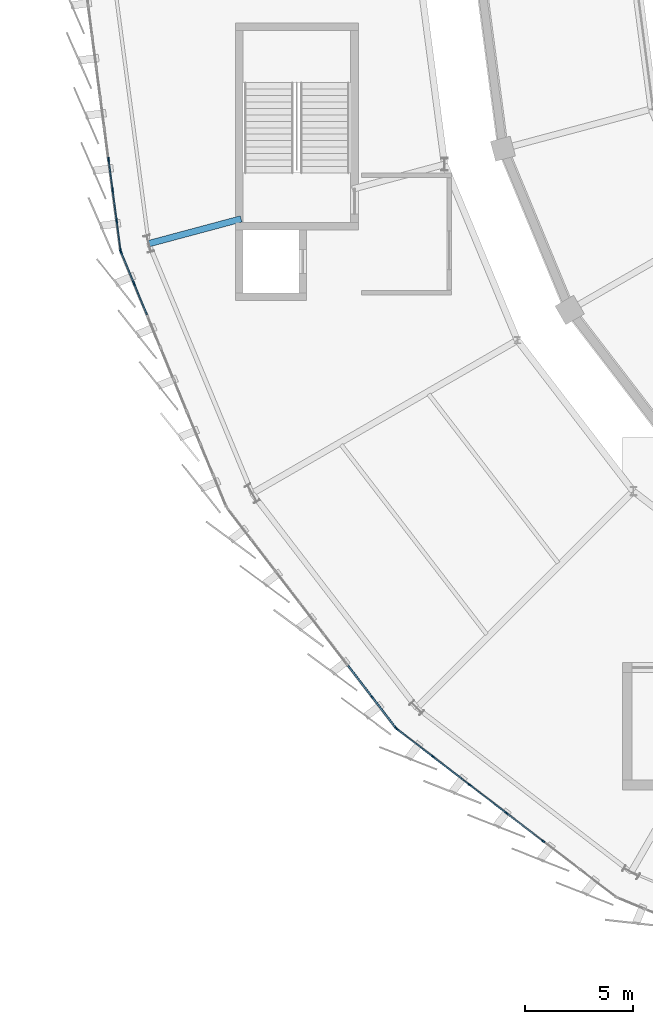
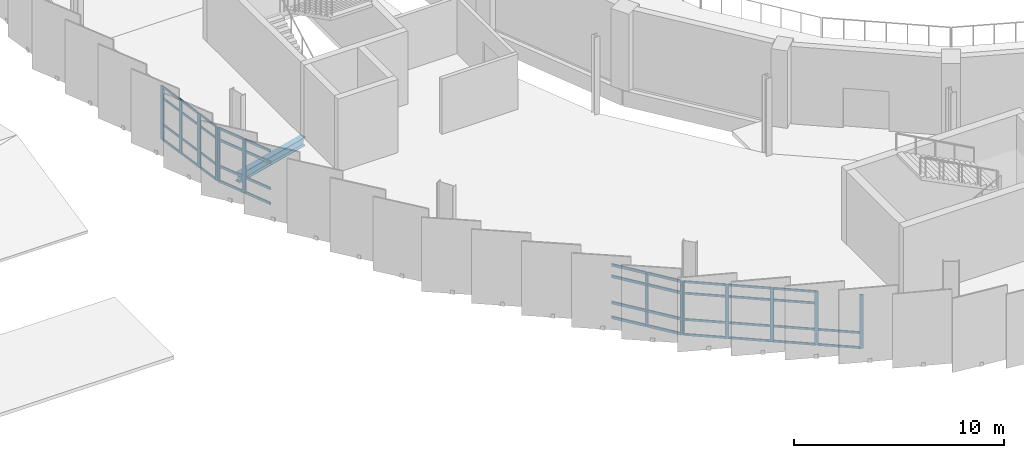
# One storey, part 18 of 87: 55 members, 1 beam, 4 elements without a shape of their own.
"""IFC4 building model written with IfcOpenShell, lengths in metres."""

from ifc_helpers import new_model, si_unit, direction, frame, origin, origin_2d, place, context, subcontext, project, spatial, rectangle, i_section, extrude, material, layer, layer_set, material_profile, profile_set, type_object, element, aggregate, save


model = new_model("IFC4")

# Units and contexts
model_context = context("Model", 3, precision=1e-05, world=origin(), true_north=direction((0.0, 1.0)))
body_context = subcontext(model_context, "Body", "Model", "MODEL_VIEW")
ifc_project = project(units=[si_unit("LENGTHUNIT", "METRE"), si_unit("AREAUNIT", "SQUARE_METRE"), si_unit("VOLUMEUNIT", "CUBIC_METRE"), si_unit("PLANEANGLEUNIT", "RADIAN"), si_unit("MASSUNIT", "GRAM", prefix="KILO")], contexts=[model_context])

# Site, building, storey
site_placement = place(None, origin())
site = spatial("IfcSite", under=ifc_project, at=site_placement, CompositionType="ELEMENT")
building_placement = place(site_placement, origin())
building = spatial("IfcBuilding", under=site, at=building_placement, Name="Sohan Crest Arena", CompositionType="ELEMENT")
storey_placement = place(building_placement, frame((0.0, 0.0, 18.0)))
storey = spatial("IfcBuildingStorey", under=building, at=storey_placement, Name="L04", CompositionType="ELEMENT", Elevation=18.0)

# Curtain wall, members
ifc_material_1 = material(Name="Thermally broken anodised aluminium", Category="aluminium")
ifc_layer_1 = layer(ifc_material_1, 0.219970703125, Name="Thermally broken anodised aluminium")
ifc_layer_set_1 = layer_set([ifc_layer_1], Name="Thermally broken anodised aluminium")
curtain_wall_type_1 = type_object("IfcCurtainWallType", Name="ARC-CW03", PredefinedType="NOTDEFINED", material=ifc_layer_set_1)
curtain_wall_1_placement = place(storey_placement, origin())
curtain_wall_1 = element("IfcCurtainWall", 1, at=curtain_wall_1_placement, inside=storey, type_object=curtain_wall_type_1, Name="Unitised curtain wall CW-120", PredefinedType="NOTDEFINED")
ifc_material_profile_1 = material_profile(ifc_material_1, rectangle(XDim=0.06005859375, YDim=0.159912109375, at=origin_2d()), Name="ALU-MULL 60x160")
ifc_profile_set_1 = profile_set([ifc_material_profile_1], Name="Thermally broken anodised aluminium")
member_type_1 = type_object("IfcMemberType", Name="ARC-CW-ML01", PredefinedType="MULLION", material=ifc_profile_set_1)
member_1_placement = place(storey_placement, frame((61.983642578125, 44.564208984375, 0.0), z_axis=(0.0, 0.0, 1.0), x_axis=(0.793385172815, 0.60871994181, 0.0)))
member_1 = element("IfcMember", 2, at=member_1_placement, type_object=member_type_1, Name="CW-120 mullion 7", PredefinedType="MULLION", context=body_context, shape_type="SweptSolid", body=[
    extrude(rectangle(XDim=0.06005859375, YDim=0.159912109375, at=origin_2d()), origin(), (0.0, 0.0, 1.0), 3.1201171875),
])
member_2_placement = place(storey_placement, frame((63.085693359375, 43.127685546875, 0.0), z_axis=(0.0, 0.0, 1.0), x_axis=(0.793385172815, 0.60871994181, 0.0)))
member_2 = element("IfcMember", 3, at=member_2_placement, type_object=member_type_1, Name="CW-120 mullion 8", PredefinedType="MULLION", context=body_context, shape_type="SweptSolid", body=[
    extrude(rectangle(XDim=0.06005859375, YDim=0.159912109375, at=origin_2d()), origin(), (0.0, 0.0, 1.0), 3.1201171875),
])

ifc_layer_2 = layer(ifc_material_1, 0.239990234375, Name="Thermally broken anodised aluminium")
ifc_layer_set_2 = layer_set([ifc_layer_2], Name="Thermally broken anodised aluminium")
curtain_wall_type_2 = type_object("IfcCurtainWallType", Name="ARC-CW04", PredefinedType="NOTDEFINED", material=ifc_layer_set_2)
curtain_wall_2_placement = place(storey_placement, origin())
curtain_wall_2 = element("IfcCurtainWall", 4, at=curtain_wall_2_placement, inside=storey, type_object=curtain_wall_type_2, Name="Unitised curtain wall CW-121", PredefinedType="NOTDEFINED")
ifc_material_profile_2 = material_profile(ifc_material_1, rectangle(XDim=0.06494140625, YDim=0.179931640625, at=origin_2d()), Name="ALU-MULL 65x180")
ifc_profile_set_2 = profile_set([ifc_material_profile_2], Name="Thermally broken anodised aluminium")
member_type_2 = type_object("IfcMemberType", Name="ARC-CW-ML02", PredefinedType="MULLION", material=ifc_profile_set_2)
member_3_placement = place(storey_placement, frame((63.1298828125, 43.084228515625, 0.0), z_axis=(0.0, 0.0, 1.0), x_axis=(0.60871994181, 0.793385172815, 0.0)))
member_3 = element("IfcMember", 5, at=member_3_placement, type_object=member_type_2, Name="CW-121 mullion 1", PredefinedType="MULLION", context=body_context, shape_type="SweptSolid", body=[
    extrude(rectangle(XDim=0.06494140625, YDim=0.179931640625, at=origin_2d()), origin(), (0.0, 0.0, 1.0), 3.1201171875),
])
member_4_placement = place(storey_placement, frame((64.8076171875, 41.797119140625, 0.0), z_axis=(0.0, 0.0, 1.0), x_axis=(0.60871994181, 0.793385172815, 0.0)))
member_4 = element("IfcMember", 6, at=member_4_placement, type_object=member_type_2, Name="CW-121 mullion 2", PredefinedType="MULLION", context=body_context, shape_type="SweptSolid", body=[
    extrude(rectangle(XDim=0.06494140625, YDim=0.179931640625, at=origin_2d()), origin(), (0.0, 0.0, 1.0), 3.1201171875),
])
member_5_placement = place(storey_placement, frame((66.510986328125, 40.489990234375, 0.0), z_axis=(0.0, 0.0, 1.0), x_axis=(0.60871994181, 0.793385172815, 0.0)))
member_5 = element("IfcMember", 7, at=member_5_placement, type_object=member_type_2, Name="CW-121 mullion 3", PredefinedType="MULLION", context=body_context, shape_type="SweptSolid", body=[
    extrude(rectangle(XDim=0.06494140625, YDim=0.179931640625, at=origin_2d()), origin(), (0.0, 0.0, 1.0), 3.1201171875),
])
member_6_placement = place(storey_placement, frame((68.214599609375, 39.18310546875, 0.0), z_axis=(0.0, 0.0, 1.0), x_axis=(0.60871994181, 0.793385172815, 0.0)))
member_6 = element("IfcMember", 8, at=member_6_placement, type_object=member_type_2, Name="CW-121 mullion 4", PredefinedType="MULLION", context=body_context, shape_type="SweptSolid", body=[
    extrude(rectangle(XDim=0.06494140625, YDim=0.179931640625, at=origin_2d()), origin(), (0.0, 0.0, 1.0), 3.1201171875),
])
member_7_placement = place(storey_placement, frame((69.91796875, 37.8759765625, 0.0), z_axis=(0.0, 0.0, 1.0), x_axis=(0.60871994181, 0.793385172815, 0.0)))
member_7 = element("IfcMember", 9, at=member_7_placement, type_object=member_type_2, Name="CW-121 mullion 5", PredefinedType="MULLION", context=body_context, shape_type="SweptSolid", body=[
    extrude(rectangle(XDim=0.06494140625, YDim=0.179931640625, at=origin_2d()), origin(), (0.0, 0.0, 1.0), 3.1201171875),
])

ifc_layer_3 = layer(ifc_material_1, 0.179931640625, Name="Thermally broken anodised aluminium")
ifc_layer_set_3 = layer_set([ifc_layer_3], Name="Thermally broken anodised aluminium")
curtain_wall_type_3 = type_object("IfcCurtainWallType", Name="ARC-CW01", PredefinedType="NOTDEFINED", material=ifc_layer_set_3)
curtain_wall_3_placement = place(storey_placement, origin())
curtain_wall_3 = element("IfcCurtainWall", 10, at=curtain_wall_3_placement, inside=storey, type_object=curtain_wall_type_3, Name="Unitised curtain wall CW-118", PredefinedType="NOTDEFINED")
ifc_material_profile_3 = material_profile(ifc_material_1, rectangle(XDim=0.070068359375, YDim=0.199951171875, at=origin_2d()), Name="ALU-MULL 70x200")
ifc_profile_set_3 = profile_set([ifc_material_profile_3], Name="Thermally broken anodised aluminium")
member_type_3 = type_object("IfcMemberType", Name="ARC-CW-ML03", PredefinedType="MULLION", material=ifc_profile_set_3)
member_8_placement = place(storey_placement, frame((49.771240234375, 69.484619140625, 0.0), z_axis=(0.0, 0.0, 1.0), x_axis=(0.991440816386, 0.130556913275, 0.0)))
member_8 = element("IfcMember", 11, at=member_8_placement, type_object=member_type_3, Name="CW-118 mullion 7", PredefinedType="MULLION", context=body_context, shape_type="SweptSolid", body=[
    extrude(rectangle(XDim=0.070068359375, YDim=0.199951171875, at=origin_2d()), origin(), (0.0, 0.0, 1.0), 3.1201171875),
])
member_9_placement = place(storey_placement, frame((49.958251953125, 68.0654296875, 0.0), z_axis=(0.0, 0.0, 1.0), x_axis=(0.991440816386, 0.130556913275, 0.0)))
member_9 = element("IfcMember", 12, at=member_9_placement, type_object=member_type_3, Name="CW-118 mullion 8", PredefinedType="MULLION", context=body_context, shape_type="SweptSolid", body=[
    extrude(rectangle(XDim=0.070068359375, YDim=0.199951171875, at=origin_2d()), origin(), (0.0, 0.0, 1.0), 3.1201171875),
])
member_10_placement = place(storey_placement, frame((50.14501953125, 66.646240234375, 0.0), z_axis=(0.0, 0.0, 1.0), x_axis=(0.991440816386, 0.130556913275, 0.0)))
member_10 = element("IfcMember", 13, at=member_10_placement, type_object=member_type_3, Name="CW-118 mullion 9", PredefinedType="MULLION", context=body_context, shape_type="SweptSolid", body=[
    extrude(rectangle(XDim=0.070068359375, YDim=0.199951171875, at=origin_2d()), origin(), (0.0, 0.0, 1.0), 3.1201171875),
])
member_11_placement = place(storey_placement, frame((50.327392578125, 65.26171875, 0.0), z_axis=(0.0, 0.0, 1.0), x_axis=(0.991440816386, 0.130556913275, 0.0)))
member_11 = element("IfcMember", 14, at=member_11_placement, type_object=member_type_3, Name="CW-118 mullion 10", PredefinedType="MULLION", context=body_context, shape_type="SweptSolid", body=[
    extrude(rectangle(XDim=0.070068359375, YDim=0.199951171875, at=origin_2d()), origin(), (0.0, 0.0, 1.0), 3.1201171875),
])

ifc_layer_4 = layer(ifc_material_1, 0.199951171875, Name="Thermally broken anodised aluminium")
ifc_layer_set_4 = layer_set([ifc_layer_4], Name="Thermally broken anodised aluminium")
curtain_wall_type_4 = type_object("IfcCurtainWallType", Name="ARC-CW02", PredefinedType="NOTDEFINED", material=ifc_layer_set_4)
curtain_wall_4_placement = place(storey_placement, origin())
curtain_wall_4 = element("IfcCurtainWall", 15, at=curtain_wall_4_placement, inside=storey, type_object=curtain_wall_type_4, Name="Unitised curtain wall CW-119", PredefinedType="NOTDEFINED")
ifc_material_profile_4 = material_profile(ifc_material_1, rectangle(XDim=0.074951171875, YDim=0.219970703125, at=origin_2d()), Name="ALU-MULL 75x220")
ifc_profile_set_4 = profile_set([ifc_material_profile_4], Name="Thermally broken anodised aluminium")
member_type_4 = type_object("IfcMemberType", Name="ARC-CW-ML04", PredefinedType="MULLION", material=ifc_profile_set_4)
member_12_placement = place(storey_placement, frame((50.346435546875, 65.1923828125, 0.0), z_axis=(0.0, 0.0, 1.0), x_axis=(0.923878704229, 0.382685432009, 0.0)))
member_12 = element("IfcMember", 16, at=member_12_placement, type_object=member_type_4, Name="CW-119 mullion 1", PredefinedType="MULLION", context=body_context, shape_type="SweptSolid", body=[
    extrude(rectangle(XDim=0.074951171875, YDim=0.219970703125, at=origin_2d()), origin(), (0.0, 0.0, 1.0), 3.1201171875),
])
member_13_placement = place(storey_placement, frame((50.9482421875, 63.7392578125, 0.0), z_axis=(0.0, 0.0, 1.0), x_axis=(0.923878704229, 0.382685432009, 0.0)))
member_13 = element("IfcMember", 17, at=member_13_placement, type_object=member_type_4, Name="CW-119 mullion 2", PredefinedType="MULLION", context=body_context, shape_type="SweptSolid", body=[
    extrude(rectangle(XDim=0.074951171875, YDim=0.219970703125, at=origin_2d()), origin(), (0.0, 0.0, 1.0), 3.1201171875),
])

# Member
ifc_material_profile_5 = material_profile(ifc_material_1, rectangle(XDim=0.06005859375, YDim=0.1201171875, at=origin_2d()), Name="ALU-TRAN 60x120")
ifc_profile_set_5 = profile_set([ifc_material_profile_5], Name="Thermally broken anodised aluminium")
member_type_5 = type_object("IfcMemberType", Name="ARC-CW-TR01", PredefinedType="USERDEFINED", material=ifc_profile_set_5)
member_14_placement = place(storey_placement, frame((49.77587890625, 69.449951171875, 0.030029296875), z_axis=(0.130542644625, -0.991442695235, 0.0), x_axis=(0.991442695235, 0.130542644625, 0.0)))
member_14 = element("IfcMember", 18, at=member_14_placement, type_object=member_type_5, Name="CW-118 transom 7.1", ObjectType="TRANSOM", PredefinedType="USERDEFINED", context=body_context, shape_type="SweptSolid", body=[
    extrude(rectangle(XDim=0.06005859375, YDim=0.1201171875, at=origin_2d()), origin(), (0.0, 0.0, 1.0), 1.361572265625),
])

member_15_placement = place(storey_placement, frame((49.77587890625, 69.449951171875, 0.89990234375), z_axis=(0.130542644625, -0.991442695235, 0.0), x_axis=(0.991442695235, 0.130542644625, 0.0)))
member_15 = element("IfcMember", 19, at=member_15_placement, type_object=member_type_5, Name="CW-118 transom 7.2", ObjectType="TRANSOM", PredefinedType="USERDEFINED", context=body_context, shape_type="SweptSolid", body=[
    extrude(rectangle(XDim=0.06005859375, YDim=0.1201171875, at=origin_2d()), origin(), (0.0, 0.0, 1.0), 1.361572265625),
])

member_16_placement = place(storey_placement, frame((49.77587890625, 69.449951171875, 2.419921875), z_axis=(0.130542644625, -0.991442695235, 0.0), x_axis=(0.991442695235, 0.130542644625, 0.0)))
member_16 = element("IfcMember", 20, at=member_16_placement, type_object=member_type_5, Name="CW-118 transom 7.3", ObjectType="TRANSOM", PredefinedType="USERDEFINED", context=body_context, shape_type="SweptSolid", body=[
    extrude(rectangle(XDim=0.06005859375, YDim=0.1201171875, at=origin_2d()), origin(), (0.0, 0.0, 1.0), 1.361572265625),
])

member_17_placement = place(storey_placement, frame((49.77587890625, 69.449951171875, 3.090087890625), z_axis=(0.130542644625, -0.991442695235, 0.0), x_axis=(0.991442695235, 0.130542644625, 0.0)))
member_17 = element("IfcMember", 21, at=member_17_placement, type_object=member_type_5, Name="CW-118 transom 7.4", ObjectType="TRANSOM", PredefinedType="USERDEFINED", context=body_context, shape_type="SweptSolid", body=[
    extrude(rectangle(XDim=0.06005859375, YDim=0.1201171875, at=origin_2d()), origin(), (0.0, 0.0, 1.0), 1.361572265625),
])

member_18_placement = place(storey_placement, frame((49.962890625, 68.03076171875, 0.030029296875), z_axis=(0.130542644625, -0.991442695235, 0.0), x_axis=(0.991442695235, 0.130542644625, 0.0)))
member_18 = element("IfcMember", 22, at=member_18_placement, type_object=member_type_5, Name="CW-118 transom 8.1", ObjectType="TRANSOM", PredefinedType="USERDEFINED", context=body_context, shape_type="SweptSolid", body=[
    extrude(rectangle(XDim=0.06005859375, YDim=0.1201171875, at=origin_2d()), origin(), (0.0, 0.0, 1.0), 1.361572265625),
])

member_19_placement = place(storey_placement, frame((49.962890625, 68.03076171875, 0.89990234375), z_axis=(0.130542644625, -0.991442695235, 0.0), x_axis=(0.991442695235, 0.130542644625, 0.0)))
member_19 = element("IfcMember", 23, at=member_19_placement, type_object=member_type_5, Name="CW-118 transom 8.2", ObjectType="TRANSOM", PredefinedType="USERDEFINED", context=body_context, shape_type="SweptSolid", body=[
    extrude(rectangle(XDim=0.06005859375, YDim=0.1201171875, at=origin_2d()), origin(), (0.0, 0.0, 1.0), 1.361572265625),
])

member_20_placement = place(storey_placement, frame((49.962890625, 68.03076171875, 2.419921875), z_axis=(0.130542644625, -0.991442695235, 0.0), x_axis=(0.991442695235, 0.130542644625, 0.0)))
member_20 = element("IfcMember", 24, at=member_20_placement, type_object=member_type_5, Name="CW-118 transom 8.3", ObjectType="TRANSOM", PredefinedType="USERDEFINED", context=body_context, shape_type="SweptSolid", body=[
    extrude(rectangle(XDim=0.06005859375, YDim=0.1201171875, at=origin_2d()), origin(), (0.0, 0.0, 1.0), 1.361572265625),
])

member_21_placement = place(storey_placement, frame((49.962890625, 68.03076171875, 3.090087890625), z_axis=(0.130542644625, -0.991442695235, 0.0), x_axis=(0.991442695235, 0.130542644625, 0.0)))
member_21 = element("IfcMember", 25, at=member_21_placement, type_object=member_type_5, Name="CW-118 transom 8.4", ObjectType="TRANSOM", PredefinedType="USERDEFINED", context=body_context, shape_type="SweptSolid", body=[
    extrude(rectangle(XDim=0.06005859375, YDim=0.1201171875, at=origin_2d()), origin(), (0.0, 0.0, 1.0), 1.361572265625),
])

member_22_placement = place(storey_placement, frame((50.149658203125, 66.611572265625, 0.030029296875), z_axis=(0.130487838532, -0.991449909978, 0.0), x_axis=(0.991449909978, 0.130487838532, 0.0)))
member_22 = element("IfcMember", 26, at=member_22_placement, type_object=member_type_5, Name="CW-118 transom 9.1", ObjectType="TRANSOM", PredefinedType="USERDEFINED", context=body_context, shape_type="SweptSolid", body=[
    extrude(rectangle(XDim=0.06005859375, YDim=0.1201171875, at=origin_2d()), origin(), (0.0, 0.0, 1.0), 1.326416015625),
])

member_23_placement = place(storey_placement, frame((50.149658203125, 66.611572265625, 0.89990234375), z_axis=(0.130487838532, -0.991449909978, 0.0), x_axis=(0.991449909978, 0.130487838532, 0.0)))
member_23 = element("IfcMember", 27, at=member_23_placement, type_object=member_type_5, Name="CW-118 transom 9.2", ObjectType="TRANSOM", PredefinedType="USERDEFINED", context=body_context, shape_type="SweptSolid", body=[
    extrude(rectangle(XDim=0.06005859375, YDim=0.1201171875, at=origin_2d()), origin(), (0.0, 0.0, 1.0), 1.326416015625),
])

member_24_placement = place(storey_placement, frame((50.149658203125, 66.611572265625, 2.419921875), z_axis=(0.130487838532, -0.991449909978, 0.0), x_axis=(0.991449909978, 0.130487838532, 0.0)))
member_24 = element("IfcMember", 28, at=member_24_placement, type_object=member_type_5, Name="CW-118 transom 9.3", ObjectType="TRANSOM", PredefinedType="USERDEFINED", context=body_context, shape_type="SweptSolid", body=[
    extrude(rectangle(XDim=0.06005859375, YDim=0.1201171875, at=origin_2d()), origin(), (0.0, 0.0, 1.0), 1.326416015625),
])

member_25_placement = place(storey_placement, frame((50.149658203125, 66.611572265625, 3.090087890625), z_axis=(0.130487838532, -0.991449909978, 0.0), x_axis=(0.991449909978, 0.130487838532, 0.0)))
member_25 = element("IfcMember", 29, at=member_25_placement, type_object=member_type_5, Name="CW-118 transom 9.4", ObjectType="TRANSOM", PredefinedType="USERDEFINED", context=body_context, shape_type="SweptSolid", body=[
    extrude(rectangle(XDim=0.06005859375, YDim=0.1201171875, at=origin_2d()), origin(), (0.0, 0.0, 1.0), 1.326416015625),
])

aggregate(curtain_wall_3, [member_8, member_9, member_10, member_11, member_14, member_15, member_16, member_17, member_18, member_19, member_20, member_21, member_22, member_23, member_24, member_25])

member_26_placement = place(storey_placement, frame((63.155517578125, 43.064453125, 0.030029296875), z_axis=(0.793420359208, -0.6086740783, 0.0), x_axis=(0.6086740783, 0.793420359208, 0.0)))
member_26 = element("IfcMember", 30, at=member_26_placement, type_object=member_type_5, Name="CW-121 transom 1.1", ObjectType="TRANSOM", PredefinedType="USERDEFINED", context=body_context, shape_type="SweptSolid", body=[
    extrude(rectangle(XDim=0.06005859375, YDim=0.1201171875, at=origin_2d()), origin(), (0.0, 0.0, 1.0), 2.049560546875),
])

member_27_placement = place(storey_placement, frame((63.155517578125, 43.064453125, 0.89990234375), z_axis=(0.793420359208, -0.6086740783, 0.0), x_axis=(0.6086740783, 0.793420359208, 0.0)))
member_27 = element("IfcMember", 31, at=member_27_placement, type_object=member_type_5, Name="CW-121 transom 1.2", ObjectType="TRANSOM", PredefinedType="USERDEFINED", context=body_context, shape_type="SweptSolid", body=[
    extrude(rectangle(XDim=0.06005859375, YDim=0.1201171875, at=origin_2d()), origin(), (0.0, 0.0, 1.0), 2.049560546875),
])

member_28_placement = place(storey_placement, frame((63.155517578125, 43.064453125, 2.419921875), z_axis=(0.793420359208, -0.6086740783, 0.0), x_axis=(0.6086740783, 0.793420359208, 0.0)))
member_28 = element("IfcMember", 32, at=member_28_placement, type_object=member_type_5, Name="CW-121 transom 1.3", ObjectType="TRANSOM", PredefinedType="USERDEFINED", context=body_context, shape_type="SweptSolid", body=[
    extrude(rectangle(XDim=0.06005859375, YDim=0.1201171875, at=origin_2d()), origin(), (0.0, 0.0, 1.0), 2.049560546875),
])

member_29_placement = place(storey_placement, frame((63.155517578125, 43.064453125, 3.090087890625), z_axis=(0.793420359208, -0.6086740783, 0.0), x_axis=(0.6086740783, 0.793420359208, 0.0)))
member_29 = element("IfcMember", 33, at=member_29_placement, type_object=member_type_5, Name="CW-121 transom 1.4", ObjectType="TRANSOM", PredefinedType="USERDEFINED", context=body_context, shape_type="SweptSolid", body=[
    extrude(rectangle(XDim=0.06005859375, YDim=0.1201171875, at=origin_2d()), origin(), (0.0, 0.0, 1.0), 2.049560546875),
])

member_30_placement = place(storey_placement, frame((64.833251953125, 41.777099609375, 0.030029296875), z_axis=(0.79339492991, -0.608707224529, 0.0), x_axis=(0.608707224529, 0.79339492991, 0.0)))
member_30 = element("IfcMember", 34, at=member_30_placement, type_object=member_type_5, Name="CW-121 transom 2.1", ObjectType="TRANSOM", PredefinedType="USERDEFINED", context=body_context, shape_type="SweptSolid", body=[
    extrude(rectangle(XDim=0.06005859375, YDim=0.1201171875, at=origin_2d()), origin(), (0.0, 0.0, 1.0), 2.08203125),
])

member_31_placement = place(storey_placement, frame((64.833251953125, 41.777099609375, 0.89990234375), z_axis=(0.79339492991, -0.608707224529, 0.0), x_axis=(0.608707224529, 0.79339492991, 0.0)))
member_31 = element("IfcMember", 35, at=member_31_placement, type_object=member_type_5, Name="CW-121 transom 2.2", ObjectType="TRANSOM", PredefinedType="USERDEFINED", context=body_context, shape_type="SweptSolid", body=[
    extrude(rectangle(XDim=0.06005859375, YDim=0.1201171875, at=origin_2d()), origin(), (0.0, 0.0, 1.0), 2.08203125),
])

member_32_placement = place(storey_placement, frame((64.833251953125, 41.777099609375, 2.419921875), z_axis=(0.79339492991, -0.608707224529, 0.0), x_axis=(0.608707224529, 0.79339492991, 0.0)))
member_32 = element("IfcMember", 36, at=member_32_placement, type_object=member_type_5, Name="CW-121 transom 2.3", ObjectType="TRANSOM", PredefinedType="USERDEFINED", context=body_context, shape_type="SweptSolid", body=[
    extrude(rectangle(XDim=0.06005859375, YDim=0.1201171875, at=origin_2d()), origin(), (0.0, 0.0, 1.0), 2.08203125),
])

member_33_placement = place(storey_placement, frame((64.833251953125, 41.777099609375, 3.090087890625), z_axis=(0.79339492991, -0.608707224529, 0.0), x_axis=(0.608707224529, 0.79339492991, 0.0)))
member_33 = element("IfcMember", 37, at=member_33_placement, type_object=member_type_5, Name="CW-121 transom 2.4", ObjectType="TRANSOM", PredefinedType="USERDEFINED", context=body_context, shape_type="SweptSolid", body=[
    extrude(rectangle(XDim=0.06005859375, YDim=0.1201171875, at=origin_2d()), origin(), (0.0, 0.0, 1.0), 2.08203125),
])

member_34_placement = place(storey_placement, frame((66.536865234375, 40.47021484375, 0.030029296875), z_axis=(0.79339492991, -0.608707224529, 0.0), x_axis=(0.608707224529, 0.79339492991, 0.0)))
member_34 = element("IfcMember", 38, at=member_34_placement, type_object=member_type_5, Name="CW-121 transom 3.1", ObjectType="TRANSOM", PredefinedType="USERDEFINED", context=body_context, shape_type="SweptSolid", body=[
    extrude(rectangle(XDim=0.06005859375, YDim=0.1201171875, at=origin_2d()), origin(), (0.0, 0.0, 1.0), 2.08203125),
])

member_35_placement = place(storey_placement, frame((66.536865234375, 40.47021484375, 0.89990234375), z_axis=(0.79339492991, -0.608707224529, 0.0), x_axis=(0.608707224529, 0.79339492991, 0.0)))
member_35 = element("IfcMember", 39, at=member_35_placement, type_object=member_type_5, Name="CW-121 transom 3.2", ObjectType="TRANSOM", PredefinedType="USERDEFINED", context=body_context, shape_type="SweptSolid", body=[
    extrude(rectangle(XDim=0.06005859375, YDim=0.1201171875, at=origin_2d()), origin(), (0.0, 0.0, 1.0), 2.08203125),
])

member_36_placement = place(storey_placement, frame((66.536865234375, 40.47021484375, 2.419921875), z_axis=(0.79339492991, -0.608707224529, 0.0), x_axis=(0.608707224529, 0.79339492991, 0.0)))
member_36 = element("IfcMember", 40, at=member_36_placement, type_object=member_type_5, Name="CW-121 transom 3.3", ObjectType="TRANSOM", PredefinedType="USERDEFINED", context=body_context, shape_type="SweptSolid", body=[
    extrude(rectangle(XDim=0.06005859375, YDim=0.1201171875, at=origin_2d()), origin(), (0.0, 0.0, 1.0), 2.08203125),
])

member_37_placement = place(storey_placement, frame((66.536865234375, 40.47021484375, 3.090087890625), z_axis=(0.79339492991, -0.608707224529, 0.0), x_axis=(0.608707224529, 0.79339492991, 0.0)))
member_37 = element("IfcMember", 41, at=member_37_placement, type_object=member_type_5, Name="CW-121 transom 3.4", ObjectType="TRANSOM", PredefinedType="USERDEFINED", context=body_context, shape_type="SweptSolid", body=[
    extrude(rectangle(XDim=0.06005859375, YDim=0.1201171875, at=origin_2d()), origin(), (0.0, 0.0, 1.0), 2.08203125),
])

member_38_placement = place(storey_placement, frame((68.240234375, 39.163330078125, 0.030029296875), z_axis=(0.793381749206, -0.608724404001, 0.0), x_axis=(0.608724404001, 0.793381749206, 0.0)))
member_38 = element("IfcMember", 42, at=member_38_placement, type_object=member_type_5, Name="CW-121 transom 4.1", ObjectType="TRANSOM", PredefinedType="USERDEFINED", context=body_context, shape_type="SweptSolid", body=[
    extrude(rectangle(XDim=0.06005859375, YDim=0.1201171875, at=origin_2d()), origin(), (0.0, 0.0, 1.0), 2.082275390625),
])

member_39_placement = place(storey_placement, frame((68.240234375, 39.163330078125, 0.89990234375), z_axis=(0.793381749206, -0.608724404001, 0.0), x_axis=(0.608724404001, 0.793381749206, 0.0)))
member_39 = element("IfcMember", 43, at=member_39_placement, type_object=member_type_5, Name="CW-121 transom 4.2", ObjectType="TRANSOM", PredefinedType="USERDEFINED", context=body_context, shape_type="SweptSolid", body=[
    extrude(rectangle(XDim=0.06005859375, YDim=0.1201171875, at=origin_2d()), origin(), (0.0, 0.0, 1.0), 2.082275390625),
])

aggregate(curtain_wall_2, [member_3, member_4, member_5, member_6, member_7, member_26, member_27, member_28, member_29, member_30, member_31, member_32, member_33, member_34, member_35, member_36, member_37, member_38, member_39])

ifc_material_profile_6 = material_profile(ifc_material_1, rectangle(XDim=0.06494140625, YDim=0.139892578125, at=origin_2d()), Name="ALU-TRAN 65x140")
ifc_profile_set_6 = profile_set([ifc_material_profile_6], Name="Thermally broken anodised aluminium")
member_type_6 = type_object("IfcMemberType", Name="ARC-CW-TR02", PredefinedType="USERDEFINED", material=ifc_profile_set_6)
member_40_placement = place(storey_placement, frame((50.360595703125, 65.15771484375, 0.032470703125), z_axis=(0.382716478617, -0.923865843613, 0.0), x_axis=(0.923865843613, 0.382716478617, 0.0)))
member_40 = element("IfcMember", 44, at=member_40_placement, type_object=member_type_6, Name="CW-119 transom 1.1", ObjectType="TRANSOM", PredefinedType="USERDEFINED", context=body_context, shape_type="SweptSolid", body=[
    extrude(rectangle(XDim=0.06494140625, YDim=0.139892578125, at=origin_2d()), origin(), (0.0, 0.0, 1.0), 1.497802734375),
])

member_41_placement = place(storey_placement, frame((50.360595703125, 65.15771484375, 0.89990234375), z_axis=(0.382716478617, -0.923865843613, 0.0), x_axis=(0.923865843613, 0.382716478617, 0.0)))
member_41 = element("IfcMember", 45, at=member_41_placement, type_object=member_type_6, Name="CW-119 transom 1.2", ObjectType="TRANSOM", PredefinedType="USERDEFINED", context=body_context, shape_type="SweptSolid", body=[
    extrude(rectangle(XDim=0.06494140625, YDim=0.139892578125, at=origin_2d()), origin(), (0.0, 0.0, 1.0), 1.497802734375),
])

member_42_placement = place(storey_placement, frame((50.360595703125, 65.15771484375, 2.419921875), z_axis=(0.382716478617, -0.923865843613, 0.0), x_axis=(0.923865843613, 0.382716478617, 0.0)))
member_42 = element("IfcMember", 46, at=member_42_placement, type_object=member_type_6, Name="CW-119 transom 1.3", ObjectType="TRANSOM", PredefinedType="USERDEFINED", context=body_context, shape_type="SweptSolid", body=[
    extrude(rectangle(XDim=0.06494140625, YDim=0.139892578125, at=origin_2d()), origin(), (0.0, 0.0, 1.0), 1.497802734375),
])

member_43_placement = place(storey_placement, frame((50.360595703125, 65.15771484375, 3.08740234375), z_axis=(0.382716478617, -0.923865843613, 0.0), x_axis=(0.923865843613, 0.382716478617, 0.0)))
member_43 = element("IfcMember", 47, at=member_43_placement, type_object=member_type_6, Name="CW-119 transom 1.4", ObjectType="TRANSOM", PredefinedType="USERDEFINED", context=body_context, shape_type="SweptSolid", body=[
    extrude(rectangle(XDim=0.06494140625, YDim=0.139892578125, at=origin_2d()), origin(), (0.0, 0.0, 1.0), 1.497802734375),
])

member_44_placement = place(storey_placement, frame((50.962646484375, 63.70458984375, 0.032470703125), z_axis=(0.382604597635, -0.923912182985, 0.0), x_axis=(0.923912182985, 0.382604597635, 0.0)))
member_44 = element("IfcMember", 48, at=member_44_placement, type_object=member_type_6, Name="CW-119 transom 2.1", ObjectType="TRANSOM", PredefinedType="USERDEFINED", context=body_context, shape_type="SweptSolid", body=[
    extrude(rectangle(XDim=0.06494140625, YDim=0.139892578125, at=origin_2d()), origin(), (0.0, 0.0, 1.0), 1.53515625),
])

member_45_placement = place(storey_placement, frame((50.962646484375, 63.70458984375, 0.89990234375), z_axis=(0.382604597635, -0.923912182985, 0.0), x_axis=(0.923912182985, 0.382604597635, 0.0)))
member_45 = element("IfcMember", 49, at=member_45_placement, type_object=member_type_6, Name="CW-119 transom 2.2", ObjectType="TRANSOM", PredefinedType="USERDEFINED", context=body_context, shape_type="SweptSolid", body=[
    extrude(rectangle(XDim=0.06494140625, YDim=0.139892578125, at=origin_2d()), origin(), (0.0, 0.0, 1.0), 1.53515625),
])

member_46_placement = place(storey_placement, frame((50.962646484375, 63.70458984375, 2.419921875), z_axis=(0.382604597635, -0.923912182985, 0.0), x_axis=(0.923912182985, 0.382604597635, 0.0)))
member_46 = element("IfcMember", 50, at=member_46_placement, type_object=member_type_6, Name="CW-119 transom 2.3", ObjectType="TRANSOM", PredefinedType="USERDEFINED", context=body_context, shape_type="SweptSolid", body=[
    extrude(rectangle(XDim=0.06494140625, YDim=0.139892578125, at=origin_2d()), origin(), (0.0, 0.0, 1.0), 1.53515625),
])

member_47_placement = place(storey_placement, frame((50.962646484375, 63.70458984375, 3.08740234375), z_axis=(0.382604597635, -0.923912182985, 0.0), x_axis=(0.923912182985, 0.382604597635, 0.0)))
member_47 = element("IfcMember", 51, at=member_47_placement, type_object=member_type_6, Name="CW-119 transom 2.4", ObjectType="TRANSOM", PredefinedType="USERDEFINED", context=body_context, shape_type="SweptSolid", body=[
    extrude(rectangle(XDim=0.06494140625, YDim=0.139892578125, at=origin_2d()), origin(), (0.0, 0.0, 1.0), 1.53515625),
])

aggregate(curtain_wall_4, [member_12, member_13, member_40, member_41, member_42, member_43, member_44, member_45, member_46, member_47])

ifc_material_profile_7 = material_profile(ifc_material_1, rectangle(XDim=0.070068359375, YDim=0.14990234375, at=origin_2d()), Name="ALU-TRAN 70x150")
ifc_profile_set_7 = profile_set([ifc_material_profile_7], Name="Thermally broken anodised aluminium")
member_type_7 = type_object("IfcMemberType", Name="ARC-CW-TR03", PredefinedType="USERDEFINED", material=ifc_profile_set_7)
member_48_placement = place(storey_placement, frame((60.881591796875, 46.00048828125, 0.034912109375), z_axis=(0.608696355161, -0.793403268971, 0.0), x_axis=(0.793403268971, 0.608696355161, 0.0)))
member_48 = element("IfcMember", 52, at=member_48_placement, type_object=member_type_7, Name="CW-120 transom 6.1", ObjectType="TRANSOM", PredefinedType="USERDEFINED", context=body_context, shape_type="SweptSolid", body=[
    extrude(rectangle(XDim=0.070068359375, YDim=0.14990234375, at=origin_2d()), origin(), (0.0, 0.0, 1.0), 1.780517578125),
])

member_49_placement = place(storey_placement, frame((60.881591796875, 46.00048828125, 0.89990234375), z_axis=(0.608696355161, -0.793403268971, 0.0), x_axis=(0.793403268971, 0.608696355161, 0.0)))
member_49 = element("IfcMember", 53, at=member_49_placement, type_object=member_type_7, Name="CW-120 transom 6.2", ObjectType="TRANSOM", PredefinedType="USERDEFINED", context=body_context, shape_type="SweptSolid", body=[
    extrude(rectangle(XDim=0.070068359375, YDim=0.14990234375, at=origin_2d()), origin(), (0.0, 0.0, 1.0), 1.780517578125),
])

member_50_placement = place(storey_placement, frame((60.881591796875, 46.00048828125, 2.419921875), z_axis=(0.608696355161, -0.793403268971, 0.0), x_axis=(0.793403268971, 0.608696355161, 0.0)))
member_50 = element("IfcMember", 54, at=member_50_placement, type_object=member_type_7, Name="CW-120 transom 6.3", ObjectType="TRANSOM", PredefinedType="USERDEFINED", context=body_context, shape_type="SweptSolid", body=[
    extrude(rectangle(XDim=0.070068359375, YDim=0.14990234375, at=origin_2d()), origin(), (0.0, 0.0, 1.0), 1.780517578125),
])

member_51_placement = place(storey_placement, frame((60.881591796875, 46.00048828125, 3.0849609375), z_axis=(0.608696355161, -0.793403268971, 0.0), x_axis=(0.793403268971, 0.608696355161, 0.0)))
member_51 = element("IfcMember", 55, at=member_51_placement, type_object=member_type_7, Name="CW-120 transom 6.4", ObjectType="TRANSOM", PredefinedType="USERDEFINED", context=body_context, shape_type="SweptSolid", body=[
    extrude(rectangle(XDim=0.070068359375, YDim=0.14990234375, at=origin_2d()), origin(), (0.0, 0.0, 1.0), 1.780517578125),
])

member_52_placement = place(storey_placement, frame((62.001953125, 44.540283203125, 0.034912109375), z_axis=(0.608712622948, -0.793390788114, 0.0), x_axis=(0.793390788114, 0.608712622948, 0.0)))
member_52 = element("IfcMember", 56, at=member_52_placement, type_object=member_type_7, Name="CW-120 transom 7.1", ObjectType="TRANSOM", PredefinedType="USERDEFINED", context=body_context, shape_type="SweptSolid", body=[
    extrude(rectangle(XDim=0.070068359375, YDim=0.14990234375, at=origin_2d()), origin(), (0.0, 0.0, 1.0), 1.750244140625),
])

member_53_placement = place(storey_placement, frame((62.001953125, 44.540283203125, 0.89990234375), z_axis=(0.608712622948, -0.793390788114, 0.0), x_axis=(0.793390788114, 0.608712622948, 0.0)))
member_53 = element("IfcMember", 57, at=member_53_placement, type_object=member_type_7, Name="CW-120 transom 7.2", ObjectType="TRANSOM", PredefinedType="USERDEFINED", context=body_context, shape_type="SweptSolid", body=[
    extrude(rectangle(XDim=0.070068359375, YDim=0.14990234375, at=origin_2d()), origin(), (0.0, 0.0, 1.0), 1.750244140625),
])

member_54_placement = place(storey_placement, frame((62.001953125, 44.540283203125, 2.419921875), z_axis=(0.608712622948, -0.793390788114, 0.0), x_axis=(0.793390788114, 0.608712622948, 0.0)))
member_54 = element("IfcMember", 58, at=member_54_placement, type_object=member_type_7, Name="CW-120 transom 7.3", ObjectType="TRANSOM", PredefinedType="USERDEFINED", context=body_context, shape_type="SweptSolid", body=[
    extrude(rectangle(XDim=0.070068359375, YDim=0.14990234375, at=origin_2d()), origin(), (0.0, 0.0, 1.0), 1.750244140625),
])

member_55_placement = place(storey_placement, frame((62.001953125, 44.540283203125, 3.0849609375), z_axis=(0.608712622948, -0.793390788114, 0.0), x_axis=(0.793390788114, 0.608712622948, 0.0)))
member_55 = element("IfcMember", 59, at=member_55_placement, type_object=member_type_7, Name="CW-120 transom 7.4", ObjectType="TRANSOM", PredefinedType="USERDEFINED", context=body_context, shape_type="SweptSolid", body=[
    extrude(rectangle(XDim=0.070068359375, YDim=0.14990234375, at=origin_2d()), origin(), (0.0, 0.0, 1.0), 1.750244140625),
])

aggregate(curtain_wall_1, [member_1, member_2, member_48, member_49, member_50, member_51, member_52, member_53, member_54, member_55])

# Beam
ifc_material_2 = material(Name="Steel S355", Category="steel")
ifc_material_profile_8 = material_profile(ifc_material_2, i_section(OverallWidth=0.300048828125, OverallDepth=0.5, WebThickness=0.014404296875, FlangeThickness=0.028076171875, at=origin_2d()), Name="HEB 500")
ifc_profile_set_8 = profile_set([ifc_material_profile_8], Name="Steel S355")
beam_type = type_object("IfcBeamType", Name="STR-BM-B14", PredefinedType="BEAM", material=ifc_profile_set_8)
beam_placement = place(storey_placement, frame((55.919921875, 66.72509765625, -0.5), z_axis=(-0.965907995401, -0.258885581716, 0.0), x_axis=(0.258885581716, -0.965907995401, 0.0)))
element("IfcBeam", 60, at=beam_placement, inside=storey, type_object=beam_type, Name="Structural beam G-L04-1581", PredefinedType="BEAM", context=body_context, shape_type="SweptSolid", body=[
    extrude(i_section(OverallWidth=0.300048828125, OverallDepth=0.5, WebThickness=0.014404296875, FlangeThickness=0.028076171875, at=origin_2d()), origin(), (0.0, 0.0, 1.0), 4.43505859375),
])

save(model, "model.ifc")
